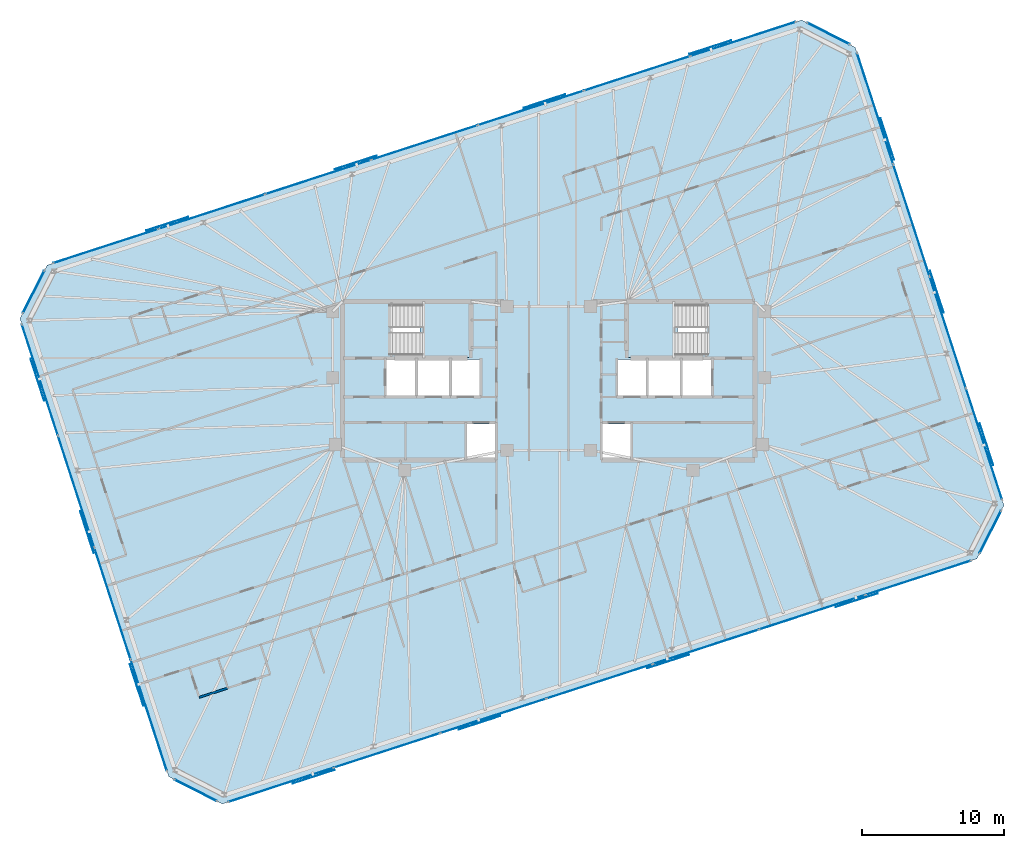
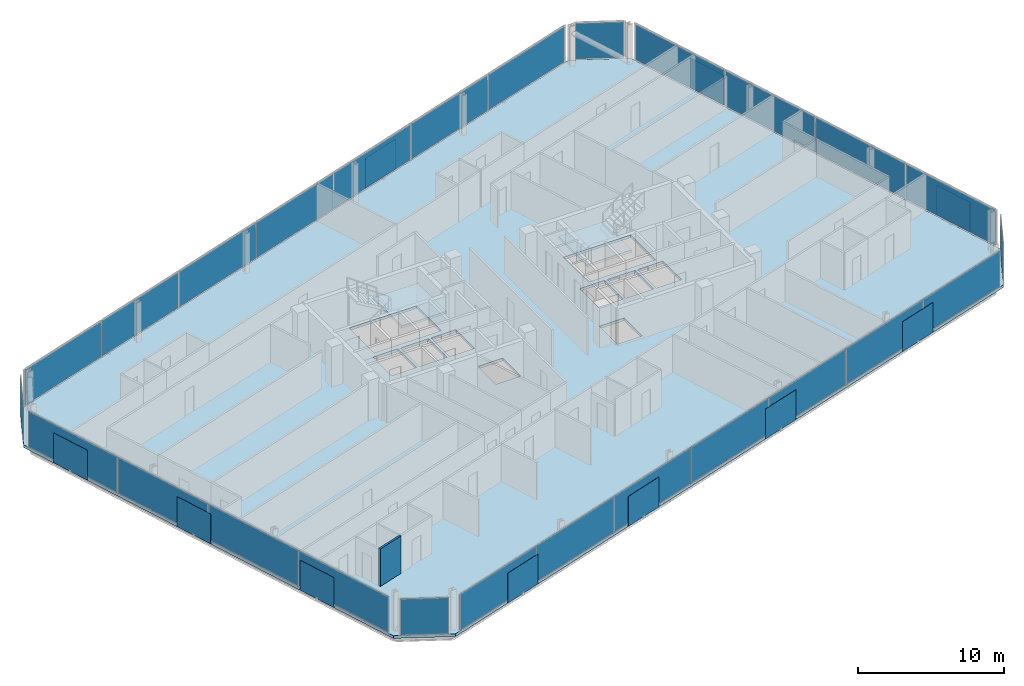
# One storey, part 12 of 19: 40 plates, 3 slabs, 1 wall, 10 elements without a shape of their own.
"""IFC4 building model written with IfcOpenShell, lengths in metres."""

from ifc_helpers import new_model, si_unit, direction, frame, frame_2d, origin, origin_2d, place, context, subcontext, project, spatial, polyline, rectangle, outline, extrude, material, layer, layer_set, type_object, element, aggregate, save


model = new_model("IFC4")

# Units and contexts
model_context = context("Model", 3, precision=1e-05, world=origin(), true_north=direction((0.0, 1.0)))
body_context = subcontext(model_context, "Body", "Model", "MODEL_VIEW")
ifc_project = project(units=[si_unit("LENGTHUNIT", "METRE"), si_unit("AREAUNIT", "SQUARE_METRE"), si_unit("VOLUMEUNIT", "CUBIC_METRE"), si_unit("PLANEANGLEUNIT", "RADIAN"), si_unit("MASSUNIT", "GRAM", prefix="KILO")], contexts=[model_context])

# Site, building, storey
site_placement = place(None, origin())
site = spatial("IfcSite", under=ifc_project, at=site_placement, CompositionType="ELEMENT")
building_placement = place(site_placement, origin())
building = spatial("IfcBuilding", under=site, at=building_placement, Name="Menara Jurai Vektor", CompositionType="ELEMENT")
storey_placement = place(building_placement, frame((0.0, 0.0, 234.35009765625)))
storey = spatial("IfcBuildingStorey", under=building, at=storey_placement, Name="L62", CompositionType="ELEMENT", Elevation=234.35009765625)

# Curtain wall, plates
ifc_material_1 = material(Name="Anodised Pale Aluminium & Low-E Double Glazing", Category="aluminium")
curtain_wall_type = type_object("IfcCurtainWallType", Name="CW-BLK4", PredefinedType="NOTDEFINED", material=ifc_material_1)
curtain_wall_1_placement = place(storey_placement, origin())
curtain_wall_1 = element("IfcCurtainWall", 1, at=curtain_wall_1_placement, inside=storey, type_object=curtain_wall_type, Name="Unitised Curtain Wall L62 F01", PredefinedType="NOTDEFINED")
ifc_material_2 = material(Name="Low-E Solar-Control Double Glazed Unit", Category="glass")
ifc_layer_1 = layer(ifc_material_2, 0.030029296875)
ifc_layer_set_1 = layer_set([ifc_layer_1], Name="Low-E Solar-Control Double Glazed Unit")
plate_type_1 = type_object("IfcPlateType", Name="CW-BLK4-PNL", PredefinedType="CURTAIN_PANEL", material=ifc_layer_set_1)
plate_1_placement = place(storey_placement, frame((-18.916259765625, -28.53076171875, 0.080078125), z_axis=(0.0, 0.0, 1.0), x_axis=(0.951056402641, 0.309017344167, 0.0)))
plate_1 = element("IfcPlate", 2, at=plate_1_placement, type_object=plate_type_1, Name="CW-04 panel 1.1", PredefinedType="CURTAIN_PANEL", context=body_context, shape_type="SweptSolid", body=[
    extrude(rectangle(XDim=7.771484375, YDim=0.030029296875, at=origin_2d()), origin(), (0.0, 0.0, 1.0), 2.965087890625),
])
plate_2_placement = place(storey_placement, frame((-11.429931640625, -26.098388671875, 0.080078125), z_axis=(0.0, 0.0, 1.0), x_axis=(0.951056402641, 0.309017344167, 0.0)))
plate_2 = element("IfcPlate", 3, at=plate_2_placement, type_object=plate_type_1, Name="CW-04 panel 2.1", PredefinedType="CURTAIN_PANEL", context=body_context, shape_type="SweptSolid", body=[
    extrude(rectangle(XDim=7.8115234375, YDim=0.030029296875, at=origin_2d()), origin(), (0.0, 0.0, 1.0), 2.965087890625),
])
plate_3_placement = place(storey_placement, frame((-3.9248046875, -23.65966796875, 0.080078125), z_axis=(0.0, 0.0, 1.0), x_axis=(0.951056402641, 0.309017344167, 0.0)))
plate_3 = element("IfcPlate", 4, at=plate_3_placement, type_object=plate_type_1, Name="CW-04 panel 3.1", PredefinedType="CURTAIN_PANEL", context=body_context, shape_type="SweptSolid", body=[
    extrude(rectangle(XDim=7.8115234375, YDim=0.030029296875, at=origin_2d()), origin(), (0.0, 0.0, 1.0), 2.965087890625),
])
plate_4_placement = place(storey_placement, frame((3.580322265625, -21.22119140625, 0.080078125), z_axis=(0.0, 0.0, 1.0), x_axis=(0.951056402641, 0.309017344167, 0.0)))
plate_4 = element("IfcPlate", 5, at=plate_4_placement, type_object=plate_type_1, Name="CW-04 panel 4.1", PredefinedType="CURTAIN_PANEL", context=body_context, shape_type="SweptSolid", body=[
    extrude(rectangle(XDim=7.8115234375, YDim=0.030029296875, at=origin_2d()), origin(), (0.0, 0.0, 1.0), 2.965087890625),
])
plate_5_placement = place(storey_placement, frame((11.08544921875, -18.782470703125, 0.080078125), z_axis=(0.0, 0.0, 1.0), x_axis=(0.951056402641, 0.309017344167, 0.0)))
plate_5 = element("IfcPlate", 6, at=plate_5_placement, type_object=plate_type_1, Name="CW-04 panel 5.1", PredefinedType="CURTAIN_PANEL", context=body_context, shape_type="SweptSolid", body=[
    extrude(rectangle(XDim=7.8115234375, YDim=0.030029296875, at=origin_2d()), origin(), (0.0, 0.0, 1.0), 2.965087890625),
])
plate_6_placement = place(storey_placement, frame((18.5908203125, -16.343994140625, 0.080078125), z_axis=(0.0, 0.0, 1.0), x_axis=(0.951056402641, 0.309017344167, 0.0)))
plate_6 = element("IfcPlate", 7, at=plate_6_placement, type_object=plate_type_1, Name="CW-04 panel 6.1", PredefinedType="CURTAIN_PANEL", context=body_context, shape_type="SweptSolid", body=[
    extrude(rectangle(XDim=7.8115234375, YDim=0.030029296875, at=origin_2d()), origin(), (0.0, 0.0, 1.0), 2.965087890625),
])
plate_7_placement = place(storey_placement, frame((26.076904296875, -13.91162109375, 0.080078125), z_axis=(0.0, 0.0, 1.0), x_axis=(0.951056402641, 0.309017344167, 0.0)))
plate_7 = element("IfcPlate", 8, at=plate_7_placement, type_object=plate_type_1, Name="CW-04 panel 7.1", PredefinedType="CURTAIN_PANEL", context=body_context, shape_type="SweptSolid", body=[
    extrude(rectangle(XDim=7.771484375, YDim=0.030029296875, at=origin_2d()), origin(), (0.0, 0.0, 1.0), 2.965087890625),
])
aggregate(curtain_wall_1, [plate_1, plate_2, plate_3, plate_4, plate_5, plate_6, plate_7])

curtain_wall_2_placement = place(storey_placement, origin())
curtain_wall_2 = element("IfcCurtainWall", 9, at=curtain_wall_2_placement, inside=storey, type_object=curtain_wall_type, Name="Unitised Curtain Wall L62 F03", PredefinedType="NOTDEFINED")
plate_8_placement = place(storey_placement, frame((30.728515625, -4.456298828125, 0.080078125), z_axis=(0.0, 0.0, 1.0), x_axis=(-0.309016481464, 0.95105668295, 0.0)))
plate_8 = element("IfcPlate", 10, at=plate_8_placement, type_object=plate_type_1, Name="CW-04 panel 1.1", PredefinedType="CURTAIN_PANEL", context=body_context, shape_type="SweptSolid", body=[
    extrude(rectangle(XDim=8.18994140625, YDim=0.030029296875, at=origin_2d()), origin(), (0.0, 0.0, 1.0), 2.965087890625),
])
plate_9_placement = place(storey_placement, frame((28.166748046875, 3.427978515625, 0.080078125), z_axis=(0.0, 0.0, 1.0), x_axis=(-0.309016481464, 0.95105668295, 0.0)))
plate_9 = element("IfcPlate", 11, at=plate_9_placement, type_object=plate_type_1, Name="CW-04 panel 2.1", PredefinedType="CURTAIN_PANEL", context=body_context, shape_type="SweptSolid", body=[
    extrude(rectangle(XDim=8.22998046875, YDim=0.030029296875, at=origin_2d()), origin(), (0.0, 0.0, 1.0), 2.965087890625),
])
plate_10_placement = place(storey_placement, frame((25.598876953125, 11.331298828125, 0.080078125), z_axis=(0.0, 0.0, 1.0), x_axis=(-0.309016481464, 0.95105668295, 0.0)))
plate_10 = element("IfcPlate", 12, at=plate_10_placement, type_object=plate_type_1, Name="CW-04 panel 3.1", PredefinedType="CURTAIN_PANEL", context=body_context, shape_type="SweptSolid", body=[
    extrude(rectangle(XDim=8.22998046875, YDim=0.030029296875, at=origin_2d()), origin(), (0.0, 0.0, 1.0), 2.965087890625),
])
plate_11_placement = place(storey_placement, frame((23.037109375, 19.21533203125, 0.080078125), z_axis=(0.0, 0.0, 1.0), x_axis=(-0.309016481464, 0.95105668295, 0.0)))
plate_11 = element("IfcPlate", 13, at=plate_11_placement, type_object=plate_type_1, Name="CW-04 panel 4.1", PredefinedType="CURTAIN_PANEL", context=body_context, shape_type="SweptSolid", body=[
    extrude(rectangle(XDim=8.18994140625, YDim=0.030029296875, at=origin_2d()), origin(), (0.0, 0.0, 1.0), 2.965087890625),
])
aggregate(curtain_wall_2, [plate_8, plate_9, plate_10, plate_11])

curtain_wall_3_placement = place(storey_placement, origin())
curtain_wall_3 = element("IfcCurtainWall", 14, at=curtain_wall_3_placement, inside=storey, type_object=curtain_wall_type, Name="Unitised Curtain Wall L62 F05", PredefinedType="NOTDEFINED")
plate_12_placement = place(storey_placement, frame((13.716064453125, 24.130615234375, 0.080078125), z_axis=(0.0, 0.0, 1.0), x_axis=(-0.951056402641, -0.309017344167, 0.0)))
plate_12 = element("IfcPlate", 15, at=plate_12_placement, type_object=plate_type_1, Name="CW-04 panel 1.1", PredefinedType="CURTAIN_PANEL", context=body_context, shape_type="SweptSolid", body=[
    extrude(rectangle(XDim=7.771484375, YDim=0.030029296875, at=origin_2d()), origin(), (0.0, 0.0, 1.0), 2.965087890625),
])
plate_13_placement = place(storey_placement, frame((6.22998046875, 21.6982421875, 0.080078125), z_axis=(0.0, 0.0, 1.0), x_axis=(-0.951056402641, -0.309017344167, 0.0)))
plate_13 = element("IfcPlate", 16, at=plate_13_placement, type_object=plate_type_1, Name="CW-04 panel 2.1", PredefinedType="CURTAIN_PANEL", context=body_context, shape_type="SweptSolid", body=[
    extrude(rectangle(XDim=7.8115234375, YDim=0.030029296875, at=origin_2d()), origin(), (0.0, 0.0, 1.0), 2.965087890625),
])
plate_14_placement = place(storey_placement, frame((-1.275146484375, 19.259765625, 0.080078125), z_axis=(0.0, 0.0, 1.0), x_axis=(-0.951056402641, -0.309017344167, 0.0)))
plate_14 = element("IfcPlate", 17, at=plate_14_placement, type_object=plate_type_1, Name="CW-04 panel 3.1", PredefinedType="CURTAIN_PANEL", context=body_context, shape_type="SweptSolid", body=[
    extrude(rectangle(XDim=7.8115234375, YDim=0.030029296875, at=origin_2d()), origin(), (0.0, 0.0, 1.0), 2.965087890625),
])
plate_15_placement = place(storey_placement, frame((-8.7802734375, 16.821044921875, 0.080078125), z_axis=(0.0, 0.0, 1.0), x_axis=(-0.951056402641, -0.309017344167, 0.0)))
plate_15 = element("IfcPlate", 18, at=plate_15_placement, type_object=plate_type_1, Name="CW-04 panel 4.1", PredefinedType="CURTAIN_PANEL", context=body_context, shape_type="SweptSolid", body=[
    extrude(rectangle(XDim=7.8115234375, YDim=0.030029296875, at=origin_2d()), origin(), (0.0, 0.0, 1.0), 2.965087890625),
])
plate_16_placement = place(storey_placement, frame((-16.28564453125, 14.382568359375, 0.080078125), z_axis=(0.0, 0.0, 1.0), x_axis=(-0.951056402641, -0.309017344167, 0.0)))
plate_16 = element("IfcPlate", 19, at=plate_16_placement, type_object=plate_type_1, Name="CW-04 panel 5.1", PredefinedType="CURTAIN_PANEL", context=body_context, shape_type="SweptSolid", body=[
    extrude(rectangle(XDim=7.8115234375, YDim=0.030029296875, at=origin_2d()), origin(), (0.0, 0.0, 1.0), 2.965087890625),
])
plate_17_placement = place(storey_placement, frame((-23.790771484375, 11.944091796875, 0.080078125), z_axis=(0.0, 0.0, 1.0), x_axis=(-0.951056402641, -0.309017344167, 0.0)))
plate_17 = element("IfcPlate", 20, at=plate_17_placement, type_object=plate_type_1, Name="CW-04 panel 6.1", PredefinedType="CURTAIN_PANEL", context=body_context, shape_type="SweptSolid", body=[
    extrude(rectangle(XDim=7.8115234375, YDim=0.030029296875, at=origin_2d()), origin(), (0.0, 0.0, 1.0), 2.965087890625),
])
plate_18_placement = place(storey_placement, frame((-31.27685546875, 9.511474609375, 0.080078125), z_axis=(0.0, 0.0, 1.0), x_axis=(-0.951056402641, -0.309017344167, 0.0)))
plate_18 = element("IfcPlate", 21, at=plate_18_placement, type_object=plate_type_1, Name="CW-04 panel 7.1", PredefinedType="CURTAIN_PANEL", context=body_context, shape_type="SweptSolid", body=[
    extrude(rectangle(XDim=7.771484375, YDim=0.030029296875, at=origin_2d()), origin(), (0.0, 0.0, 1.0), 2.965087890625),
])
aggregate(curtain_wall_3, [plate_12, plate_13, plate_14, plate_15, plate_16, plate_17, plate_18])

curtain_wall_4_placement = place(storey_placement, origin())
curtain_wall_4 = element("IfcCurtainWall", 22, at=curtain_wall_4_placement, inside=storey, type_object=curtain_wall_type, Name="Unitised Curtain Wall L62 F07", PredefinedType="NOTDEFINED")
plate_19_placement = place(storey_placement, frame((-35.928466796875, 0.056396484375, 0.080078125), z_axis=(0.0, 0.0, 1.0), x_axis=(0.309016481464, -0.95105668295, 0.0)))
plate_19 = element("IfcPlate", 23, at=plate_19_placement, type_object=plate_type_1, Name="CW-04 panel 1.1", PredefinedType="CURTAIN_PANEL", context=body_context, shape_type="SweptSolid", body=[
    extrude(rectangle(XDim=8.18994140625, YDim=0.030029296875, at=origin_2d()), origin(), (0.0, 0.0, 1.0), 2.965087890625),
])
plate_20_placement = place(storey_placement, frame((-33.36669921875, -7.827880859375, 0.080078125), z_axis=(0.0, 0.0, 1.0), x_axis=(0.309016481464, -0.95105668295, 0.0)))
plate_20 = element("IfcPlate", 24, at=plate_20_placement, type_object=plate_type_1, Name="CW-04 panel 2.1", PredefinedType="CURTAIN_PANEL", context=body_context, shape_type="SweptSolid", body=[
    extrude(rectangle(XDim=8.22998046875, YDim=0.030029296875, at=origin_2d()), origin(), (0.0, 0.0, 1.0), 2.965087890625),
])
plate_21_placement = place(storey_placement, frame((-30.798828125, -15.731201171875, 0.080078125), z_axis=(0.0, 0.0, 1.0), x_axis=(0.309016481464, -0.95105668295, 0.0)))
plate_21 = element("IfcPlate", 25, at=plate_21_placement, type_object=plate_type_1, Name="CW-04 panel 3.1", PredefinedType="CURTAIN_PANEL", context=body_context, shape_type="SweptSolid", body=[
    extrude(rectangle(XDim=8.22998046875, YDim=0.030029296875, at=origin_2d()), origin(), (0.0, 0.0, 1.0), 2.965087890625),
])
plate_22_placement = place(storey_placement, frame((-28.237060546875, -23.615478515625, 0.080078125), z_axis=(0.0, 0.0, 1.0), x_axis=(0.309016481464, -0.95105668295, 0.0)))
plate_22 = element("IfcPlate", 26, at=plate_22_placement, type_object=plate_type_1, Name="CW-04 panel 4.1", PredefinedType="CURTAIN_PANEL", context=body_context, shape_type="SweptSolid", body=[
    extrude(rectangle(XDim=8.18994140625, YDim=0.030029296875, at=origin_2d()), origin(), (0.0, 0.0, 1.0), 2.965087890625),
])
aggregate(curtain_wall_4, [plate_19, plate_20, plate_21, plate_22])

# Curtain wall, plate
curtain_wall_5_placement = place(storey_placement, origin())
curtain_wall_5 = element("IfcCurtainWall", 27, at=curtain_wall_5_placement, inside=storey, type_object=curtain_wall_type, Name="Unitised Curtain Wall L62 F02", PredefinedType="NOTDEFINED")
ifc_material_3 = material(Name="Insulated Pale Aluminium Spandrel Panel", Category="aluminium")
ifc_layer_2 = layer(ifc_material_3, 0.06005859375)
ifc_layer_set_2 = layer_set([ifc_layer_2], Name="Insulated Pale Aluminium Spandrel Panel")
plate_type_2 = type_object("IfcPlateType", Name="CW-PNL-SP", PredefinedType="CURTAIN_PANEL", material=ifc_layer_set_2)
plate_23_placement = place(storey_placement, frame((31.1728515625, -10.678466796875, 0.080078125), z_axis=(0.0, 0.0, 1.0), x_axis=(0.453988579828, 0.89100750243, 0.0)))
plate_23 = element("IfcPlate", 28, at=plate_23_placement, type_object=plate_type_2, Name="CW-04 panel 1.1", PredefinedType="CURTAIN_PANEL", context=body_context, shape_type="SweptSolid", body=[
    extrude(rectangle(XDim=3.32275390625, YDim=0.06005859375, at=origin_2d()), origin(), (0.0, 0.0, 1.0), 2.965087890625),
])
aggregate(curtain_wall_5, [plate_23])

curtain_wall_6_placement = place(storey_placement, origin())
curtain_wall_6 = element("IfcCurtainWall", 29, at=curtain_wall_6_placement, inside=storey, type_object=curtain_wall_type, Name="Unitised Curtain Wall L62 F04", PredefinedType="NOTDEFINED")
plate_24_placement = place(storey_placement, frame((19.7392578125, 24.510498046875, 0.080078125), z_axis=(0.0, 0.0, 1.0), x_axis=(-0.89100750243, 0.453988579828, 0.0)))
plate_24 = element("IfcPlate", 30, at=plate_24_placement, type_object=plate_type_2, Name="CW-04 panel 1.1", PredefinedType="CURTAIN_PANEL", context=body_context, shape_type="SweptSolid", body=[
    extrude(rectangle(XDim=3.32275390625, YDim=0.06005859375, at=origin_2d()), origin(), (0.0, 0.0, 1.0), 2.965087890625),
])
aggregate(curtain_wall_6, [plate_24])

curtain_wall_7_placement = place(storey_placement, origin())
curtain_wall_7 = element("IfcCurtainWall", 31, at=curtain_wall_7_placement, inside=storey, type_object=curtain_wall_type, Name="Unitised Curtain Wall L62 F06", PredefinedType="NOTDEFINED")
plate_25_placement = place(storey_placement, frame((-36.373046875, 6.278564453125, 0.080078125), z_axis=(0.0, 0.0, 1.0), x_axis=(-0.453988579828, -0.89100750243, 0.0)))
plate_25 = element("IfcPlate", 32, at=plate_25_placement, type_object=plate_type_2, Name="CW-04 panel 1.1", PredefinedType="CURTAIN_PANEL", context=body_context, shape_type="SweptSolid", body=[
    extrude(rectangle(XDim=3.32275390625, YDim=0.06005859375, at=origin_2d()), origin(), (0.0, 0.0, 1.0), 2.965087890625),
])
aggregate(curtain_wall_7, [plate_25])

curtain_wall_8_placement = place(storey_placement, origin())
curtain_wall_8 = element("IfcCurtainWall", 33, at=curtain_wall_8_placement, inside=storey, type_object=curtain_wall_type, Name="Unitised Curtain Wall L62 F08", PredefinedType="NOTDEFINED")
plate_26_placement = place(storey_placement, frame((-24.939453125, -28.91064453125, 0.080078125), z_axis=(0.0, 0.0, 1.0), x_axis=(0.89100750243, -0.453988579828, 0.0)))
plate_26 = element("IfcPlate", 34, at=plate_26_placement, type_object=plate_type_2, Name="CW-04 panel 1.1", PredefinedType="CURTAIN_PANEL", context=body_context, shape_type="SweptSolid", body=[
    extrude(rectangle(XDim=3.32275390625, YDim=0.06005859375, at=origin_2d()), origin(), (0.0, 0.0, 1.0), 2.965087890625),
])
aggregate(curtain_wall_8, [plate_26])

# Plates
ifc_material_4 = material(Name="Anodised Pale Aluminium Perforated Screen", Category="aluminium")
ifc_layer_3 = layer(ifc_material_4, 0.02197265625)
ifc_layer_set_3 = layer_set([ifc_layer_3], Name="Anodised Pale Aluminium Perforated Screen")
plate_type_3 = type_object("IfcPlateType", Name="ENV-PLT-SCREEN-HI", PredefinedType="USERDEFINED", material=ifc_layer_set_3)
for number, where, z_axis, x_axis, name in (
    (35, (-16.608642578125, -27.94921875, -0.050048828125), (0.0, 0.0, 1.0), (0.951056516295, 0.309016994375, 0.0), "Perforated Pale-Metal Solar Screen L62-S01"),
    (36, (-4.8916015625, -24.14208984375, -0.050048828125), (0.0, 0.0, 1.0), (0.951056516295, 0.309016994375, 0.0), "Perforated Pale-Metal Solar Screen L62-S02"),
    (37, (8.423095703125, -19.81591796875, -0.050048828125), (0.0, 0.0, 1.0), (0.951056516295, 0.309016994375, 0.0), "Perforated Pale-Metal Solar Screen L62-S03"),
    (38, (21.73779296875, -15.48974609375, -0.050048828125), (0.0, 0.0, 1.0), (0.951056516295, 0.309016994375, 0.0), "Perforated Pale-Metal Solar Screen L62-S04"),
    (39, (30.90478515625, -4.4814453125, -0.050048828125), (0.0, 0.0, 1.0), (-0.309016994375, 0.951056516295, 0.0), "Perforated Pale-Metal Solar Screen L62-S05"),
    (40, (27.402587890625, 6.297119140625, -0.050048828125), (0.0, 0.0, 1.0), (-0.309016994375, 0.951056516295, 0.0), "Perforated Pale-Metal Solar Screen L62-S06"),
    (41, (23.900390625, 17.075927734375, -0.050048828125), (0.0, 0.0, 1.0), (-0.309016994375, 0.951056516295, 0.0), "Perforated Pale-Metal Solar Screen L62-S07"),
    (42, (11.40869140625, 23.54931640625, -0.050048828125), (0.0, 0.0, 1.0), (-0.951056516295, -0.309016994375, 0.0), "Perforated Pale-Metal Solar Screen L62-S08"),
    (43, (-0.308349609375, 19.7421875, -0.050048828125), (0.0, 0.0, 1.0), (-0.951056516295, -0.309016994375, 0.0), "Perforated Pale-Metal Solar Screen L62-S09"),
    (44, (-13.623046875, 15.416015625, -0.050048828125), (0.0, 0.0, 1.0), (-0.951056516295, -0.309016994375, 0.0), "Perforated Pale-Metal Solar Screen L62-S10"),
    (45, (-26.93798828125, 11.089599609375, -0.050048828125), (0.0, 0.0, 1.0), (-0.951056516295, -0.309016994375, 0.0), "Perforated Pale-Metal Solar Screen L62-S11"),
    (46, (-36.104736328125, 0.081298828125, -0.050048828125), (0.0, 0.0, 1.0), (0.309016994375, -0.951056516295, 0.0), "Perforated Pale-Metal Solar Screen L62-S12"),
    (47, (-32.6025390625, -10.697265625, -0.050048828125), (0.0, 0.0, 1.0), (0.309016994375, -0.951056516295, 0.0), "Perforated Pale-Metal Solar Screen L62-S13"),
    (48, (-29.1005859375, -21.475830078125, -0.050048828125), (0.0, 0.0, 1.0), (0.309016994375, -0.951056516295, 0.0), "Perforated Pale-Metal Solar Screen L62-S14"),
):
    element("IfcPlate", number, at=place(storey_placement, frame(where, z_axis=z_axis, x_axis=x_axis)), inside=storey, type_object=plate_type_3, Name=name, ObjectType="SCREEN", PredefinedType="USERDEFINED", context=body_context, shape_type="SweptSolid", body=[
        extrude(rectangle(XDim=3.10009765625, YDim=0.02197265625, at=origin_2d()), origin(), (0.0, 0.0, 1.0), 2.5),
    ])

# Stair, slab
ifc_material_5 = material(Name="Concrete C40/50", Category="concrete")
stair_type = type_object("IfcStairType", Name="STAIR-DOGLEG-1500", PredefinedType="HALF_TURN_STAIR", material=ifc_material_5)
stair_1_placement = place(storey_placement, origin())
stair_1 = element("IfcStair", 49, at=stair_1_placement, inside=storey, type_object=stair_type, Name="Protected Exit Stair ST1 L62", PredefinedType="HALF_TURN_STAIR")
ifc_layer_4 = layer(ifc_material_5, 0.199951171875)
ifc_layer_set_4 = layer_set([ifc_layer_4], Name="Concrete C40/50")
slab_type_1 = type_object("IfcSlabType", Name="STAIR-LANDING-200", PredefinedType="LANDING", material=ifc_layer_set_4)
slab_1_placement = place(storey_placement, frame((0.0, 0.0, 1.474853515625)))
slab_1 = element("IfcSlab", 50, at=slab_1_placement, type_object=slab_type_1, Name="ST1 landing 1", PredefinedType="LANDING", context=body_context, shape_type="SweptSolid", body=[
    extrude(outline(polyline([(-9.080078125, 1.64990234375), (-5.550048828125, 1.64990234375), (-5.550048828125, 5.550048828125), (-9.080078125, 5.550048828125), (-9.080078125, 1.64990234375)])), origin(), (0.0, 0.0, 1.0), 0.199951171875),
])
aggregate(stair_1, [slab_1])

stair_2_placement = place(storey_placement, origin())
stair_2 = element("IfcStair", 51, at=stair_2_placement, inside=storey, type_object=stair_type, Name="Protected Exit Stair ST2 L62", PredefinedType="HALF_TURN_STAIR")
slab_2_placement = place(storey_placement, frame((0.0, 0.0, 1.474853515625)))
slab_2 = element("IfcSlab", 52, at=slab_2_placement, type_object=slab_type_1, Name="ST2 landing 1", PredefinedType="LANDING", context=body_context, shape_type="SweptSolid", body=[
    extrude(outline(polyline([(5.550048828125, 1.64990234375), (9.080078125, 1.64990234375), (9.080078125, 5.550048828125), (5.550048828125, 5.550048828125), (5.550048828125, 1.64990234375)])), origin(), (0.0, 0.0, 1.0), 0.199951171875),
])
aggregate(stair_2, [slab_2])

# Slab
ifc_layer_5 = layer(ifc_material_5, 0.22509765625)
ifc_layer_set_5 = layer_set([ifc_layer_5], Name="Concrete C40/50")
slab_type_2 = type_object("IfcSlabType", Name="STR-SLAB-TYP200", PredefinedType="FLOOR", material=ifc_layer_set_5)
slab_3_placement = place(storey_placement, frame((0.0, 0.0, -0.22509765625)))
element("IfcSlab", 53, at=slab_3_placement, inside=storey, type_object=slab_type_2, Name="Composite Floor Slab L62", PredefinedType="FLOOR", context=body_context, shape_type="SweptSolid", body=[
    extrude(outline(polyline([(-23.04931640625, -29.87353515625), (30.2099609375, -12.568603515625), (32.135986328125, -8.788330078125), (21.62939453125, 23.547607421875), (17.84912109375, 25.4736328125), (-35.409912109375, 8.168701171875), (-37.3359375, 4.388427734375), (-26.82958984375, -27.947509765625), (-23.04931640625, -29.87353515625)]), holes=[polyline([(-11.10009765625, 1.89990234375), (-11.10009765625, 5.300048828125), (-5.800048828125, 5.300048828125), (-5.800048828125, 1.89990234375), (-11.10009765625, 1.89990234375)]), polyline([(5.800048828125, 1.89990234375), (5.800048828125, 5.300048828125), (11.10009765625, 5.300048828125), (11.10009765625, 1.89990234375), (5.800048828125, 1.89990234375)]), polyline([(-11.449951171875, -1.050048828125), (-11.449951171875, 1.5), (-9.449951171875, 1.5), (-9.449951171875, -1.050048828125), (-11.449951171875, -1.050048828125)]), polyline([(9.449951171875, -1.050048828125), (9.449951171875, 1.5), (11.449951171875, 1.5), (11.449951171875, -1.050048828125), (9.449951171875, -1.050048828125)]), polyline([(-5.760009765625, -5.5), (-5.760009765625, -3.050048828125), (-3.800048828125, -3.050048828125), (-3.800048828125, -5.5), (-5.760009765625, -5.5)]), polyline([(-6.85009765625, -1.050048828125), (-6.85009765625, 1.5), (-4.889892578125, 1.5), (-4.889892578125, -1.050048828125), (-6.85009765625, -1.050048828125)]), polyline([(3.800048828125, -5.5), (3.800048828125, -3.050048828125), (5.760009765625, -3.050048828125), (5.760009765625, -5.5), (3.800048828125, -5.5)]), polyline([(4.889892578125, -1.050048828125), (4.889892578125, 1.5), (6.85009765625, 1.5), (6.85009765625, -1.050048828125), (4.889892578125, -1.050048828125)]), polyline([(-9.25, -1.050048828125), (-9.25, 1.5), (-7.050048828125, 1.5), (-7.050048828125, -1.050048828125), (-9.25, -1.050048828125)]), polyline([(7.050048828125, -1.050048828125), (7.050048828125, 1.5), (9.25, 1.5), (9.25, -1.050048828125), (7.050048828125, -1.050048828125)])]), origin(), (0.0, 0.0, 1.0), 0.22509765625),
])

# Wall
ifc_material_6 = material(Name="Gypsum Fireboard Partition", Category="gypsum")
ifc_layer_6 = layer(ifc_material_6, 0.14990234375)
ifc_layer_set_6 = layer_set([ifc_layer_6], Name="Gypsum Fireboard Partition")
wall_type = type_object("IfcWallType", Name="INT-WALL-CORR-150", PredefinedType="PARTITIONING", material=ifc_layer_set_6)
wall_placement = place(storey_placement, frame((-24.6845703125, -22.3486328125, 0.0), z_axis=(0.0, 0.0, 1.0), x_axis=(0.951056007502, 0.309018560274, 0.0)))
element("IfcWall", 54, at=wall_placement, inside=storey, type_object=wall_type, Name="Interior Wall IW-150 L62", PredefinedType="PARTITIONING", context=body_context, shape_type="SweptSolid", body=[
    extrude(rectangle(XDim=2.1259765625, YDim=0.14990234375, at=frame_2d((1.06298828125, 0.0))), origin(), (0.0, 0.0, 1.0), 3.125),
])

save(model, "model.ifc")
